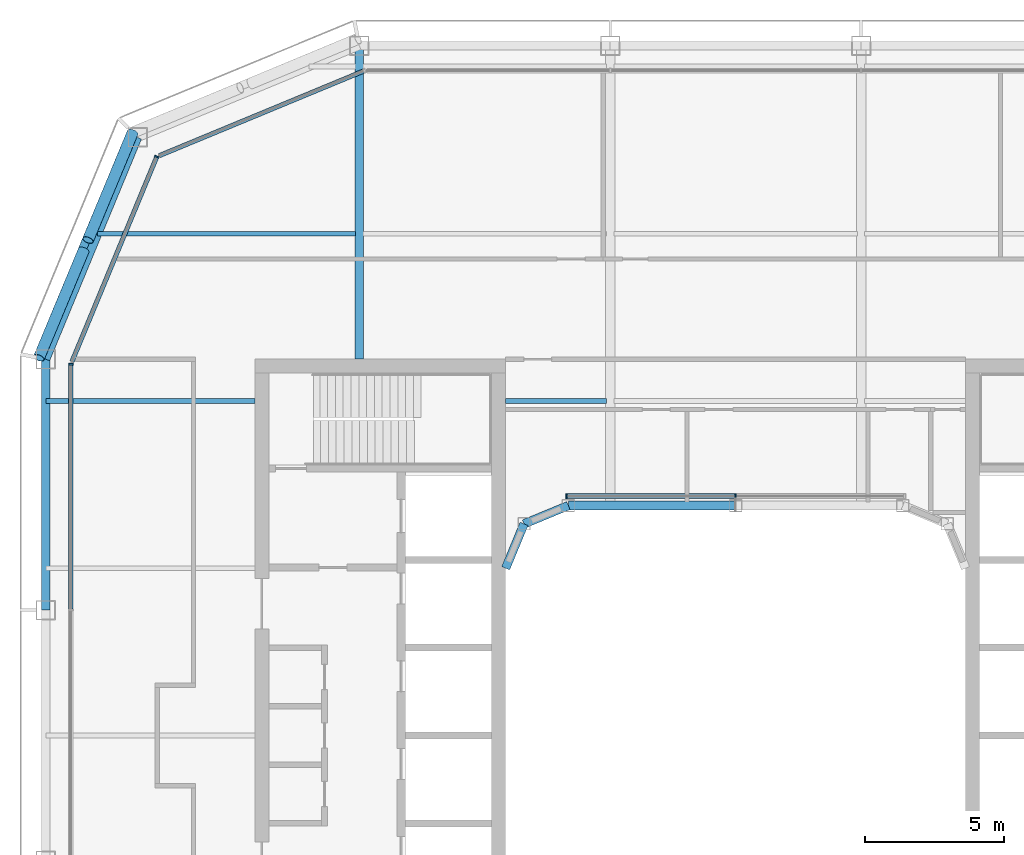
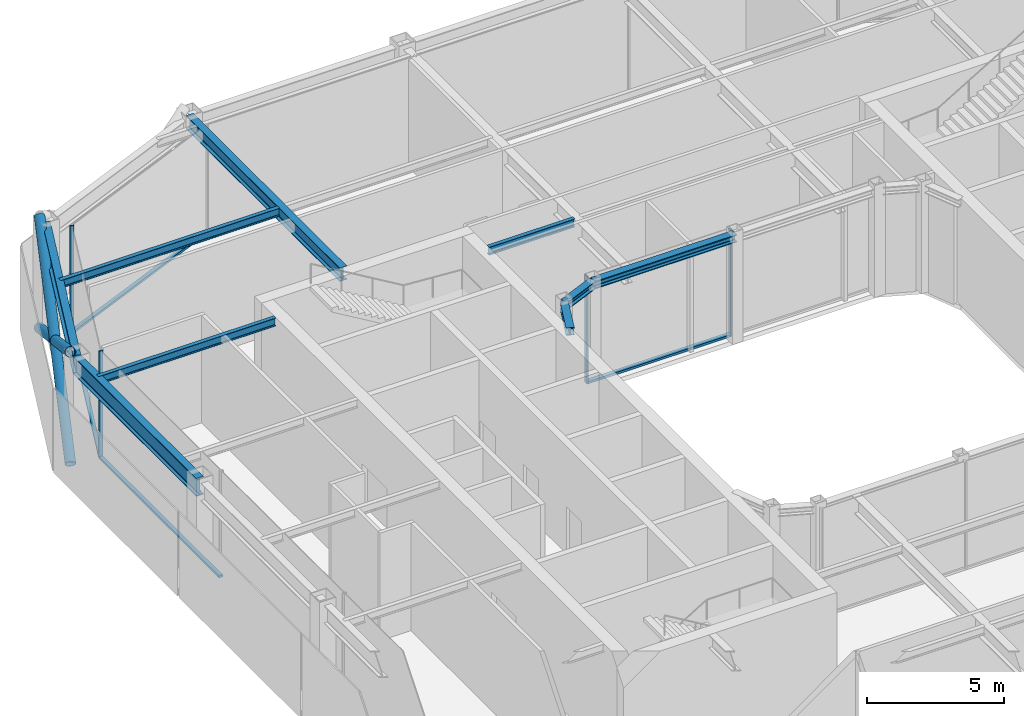
# One storey, part 7 of 17: 11 members, 9 beams, 4 elements without a shape of their own.
"""IFC4 building model written with IfcOpenShell, lengths in metres."""

from ifc_helpers import new_model, si_unit, direction, frame, origin, origin_2d, place, context, subcontext, project, spatial, rectangle, hollow_circle, i_section, extrude, material, layer, layer_set, material_profile, profile_set, type_object, element, aggregate, save


model = new_model("IFC4")

# Units and contexts
model_context = context("Model", 3, precision=1e-05, world=origin(), true_north=direction((0.0, 1.0)))
body_context = subcontext(model_context, "Body", "Model", "MODEL_VIEW")
ifc_project = project(units=[si_unit("LENGTHUNIT", "METRE"), si_unit("AREAUNIT", "SQUARE_METRE"), si_unit("VOLUMEUNIT", "CUBIC_METRE"), si_unit("PLANEANGLEUNIT", "RADIAN"), si_unit("MASSUNIT", "GRAM", prefix="KILO")], contexts=[model_context])

# Site, building, storey
site_placement = place(None, origin())
site = spatial("IfcSite", under=ifc_project, at=site_placement, CompositionType="ELEMENT")
building_placement = place(site_placement, origin())
building = spatial("IfcBuilding", under=site, at=building_placement, Name="Siwar Civic Tower", CompositionType="ELEMENT")
storey_placement = place(building_placement, frame((0.0, 0.0, 348.199951171875)))
storey = spatial("IfcBuildingStorey", under=building, at=storey_placement, Name="L75", CompositionType="ELEMENT", Elevation=348.199951171875)

# Curtain wall, member
ifc_material_1 = material(Name="Aluminium clad insulated panel", Category="aluminium")
ifc_layer_1 = layer(ifc_material_1, 0.159912109375)
ifc_layer_set_1 = layer_set([ifc_layer_1], Name="Aluminium clad insulated panel")
curtain_wall_type_1 = type_object("IfcCurtainWallType", Name="ENV-CW-DX", PredefinedType="NOTDEFINED", material=ifc_layer_set_1)
curtain_wall_1_placement = place(storey_placement, origin())
curtain_wall_1 = element("IfcCurtainWall", 1, at=curtain_wall_1_placement, inside=storey, type_object=curtain_wall_type_1, Name="Curtain wall D NW2", PredefinedType="NOTDEFINED")
ifc_material_2 = material(Name="Aluminium 6063-T6", Category="aluminium")
ifc_material_profile_1 = material_profile(ifc_material_2, rectangle(XDim=0.159912109375, YDim=0.06005859375, at=origin_2d()), Name="AL 160x60")
ifc_profile_set_1 = profile_set([ifc_material_profile_1], Name="Aluminium 6063-T6")
member_type_1 = type_object("IfcMemberType", Name="ENV-MULLION-D", PredefinedType="MULLION", material=ifc_profile_set_1)
member_1_placement = place(storey_placement, frame((-20.76611328125, 20.76611328125, 0.0), z_axis=(0.0, 0.0, 1.0), x_axis=(0.923879532511, -0.382683432365, 0.0)))
member_1 = element("IfcMember", 2, at=member_1_placement, type_object=member_type_1, Name="Mullion D NW2 1", PredefinedType="MULLION", context=body_context, shape_type="SweptSolid", body=[
    extrude(rectangle(XDim=0.159912109375, YDim=0.06005859375, at=origin_2d()), origin(), (0.0, 0.0, 1.0), 4.800048828125),
])

ifc_material_3 = material(Name="Aluminium and glass", Category="aluminium")
ifc_layer_2 = layer(ifc_material_3, 0.159912109375)
ifc_layer_set_2 = layer_set([ifc_layer_2], Name="Aluminium and glass")
curtain_wall_type_2 = type_object("IfcCurtainWallType", Name="ENV-CW-D", PredefinedType="NOTDEFINED", material=ifc_layer_set_2)
curtain_wall_2_placement = place(storey_placement, origin())
curtain_wall_2 = element("IfcCurtainWall", 3, at=curtain_wall_2_placement, inside=storey, type_object=curtain_wall_type_2, Name="Curtain wall D W", PredefinedType="NOTDEFINED")
member_2_placement = place(storey_placement, frame((-23.85009765625, 13.321044921875, 0.0), z_axis=(0.0, 0.0, 1.0), x_axis=(1.0, 0.0, 0.0)))
member_2 = element("IfcMember", 4, at=member_2_placement, type_object=member_type_1, Name="Mullion D W 1", PredefinedType="MULLION", context=body_context, shape_type="SweptSolid", body=[
    extrude(rectangle(XDim=0.159912109375, YDim=0.06005859375, at=origin_2d()), origin(), (0.0, 0.0, 1.0), 4.800048828125),
])

# Curtain wall, members
ifc_material_4 = material(Name="Aluminium and glass", Category="aluminium")
ifc_layer_3 = layer(ifc_material_4, 0.179931640625)
ifc_layer_set_3 = layer_set([ifc_layer_3], Name="Aluminium and glass")
curtain_wall_type_3 = type_object("IfcCurtainWallType", Name="ENV-CW-W", PredefinedType="NOTDEFINED", material=ifc_layer_set_3)
curtain_wall_3_placement = place(storey_placement, origin())
curtain_wall_3 = element("IfcCurtainWall", 5, at=curtain_wall_3_placement, inside=storey, type_object=curtain_wall_type_3, Name="Curtain wall W WN", PredefinedType="NOTDEFINED")
ifc_material_5 = material(Name="Aluminium 6063-T6", Category="aluminium")
ifc_material_profile_2 = material_profile(ifc_material_5, rectangle(XDim=0.179931640625, YDim=0.06005859375, at=origin_2d()), Name="AL 180x60")
ifc_profile_set_2 = profile_set([ifc_material_profile_2], Name="Aluminium 6063-T6")
member_type_2 = type_object("IfcMemberType", Name="ENV-MULLION-W", PredefinedType="MULLION", material=ifc_profile_set_2)
member_3_placement = place(storey_placement, frame((0.0, 8.5849609375, 0.0), z_axis=(0.0, 0.0, 1.0), x_axis=(0.0, -1.0, 0.0)))
member_3 = element("IfcMember", 6, at=member_3_placement, type_object=member_type_2, Name="Mullion W WN 2", PredefinedType="MULLION", context=body_context, shape_type="SweptSolid", body=[
    extrude(rectangle(XDim=0.179931640625, YDim=0.06005859375, at=origin_2d()), origin(), (0.0, 0.0, 1.0), 4.800048828125),
])
member_4_placement = place(storey_placement, frame((-6.066650390625, 8.5849609375, 0.0), z_axis=(0.0, 0.0, 1.0), x_axis=(0.0, -1.0, 0.0)))
member_4 = element("IfcMember", 7, at=member_4_placement, type_object=member_type_2, Name="Mullion W WN 3", PredefinedType="MULLION", context=body_context, shape_type="SweptSolid", body=[
    extrude(rectangle(XDim=0.179931640625, YDim=0.06005859375, at=origin_2d()), origin(), (0.0, 0.0, 1.0), 4.800048828125),
])

# Curtain wall, member
curtain_wall_4_placement = place(storey_placement, origin())
curtain_wall_4 = element("IfcCurtainWall", 8, at=curtain_wall_4_placement, inside=storey, type_object=curtain_wall_type_1, Name="Curtain wall D NW1", PredefinedType="NOTDEFINED")
ifc_material_6 = material(Name="Aluminium 6063-T6", Category="aluminium")
ifc_material_profile_3 = material_profile(ifc_material_6, rectangle(XDim=0.159912109375, YDim=0.10009765625, at=origin_2d()), Name="AL 160x100")
ifc_profile_set_3 = profile_set([ifc_material_profile_3], Name="Aluminium 6063-T6")
member_type_3 = type_object("IfcMemberType", Name="ENV-TRANSOM-D", PredefinedType="USERDEFINED", material=ifc_profile_set_3)
member_5_placement = place(storey_placement, frame((-13.3486328125, 23.838623046875, 0.050048828125), z_axis=(-0.923872756612, -0.382699790424, 0.0), x_axis=(0.382699790424, -0.923872756612, 0.0)))
member_5 = element("IfcMember", 9, at=member_5_placement, type_object=member_type_3, Name="Transom D NW1 1", ObjectType="TRANSOM", PredefinedType="USERDEFINED", context=body_context, shape_type="SweptSolid", body=[
    extrude(rectangle(XDim=0.159912109375, YDim=0.10009765625, at=origin_2d()), origin(), (0.0, 0.0, 1.0), 7.930908203125),
])
aggregate(curtain_wall_4, [member_5])

# Member
member_6_placement = place(storey_placement, frame((-20.777587890625, 20.738525390625, 0.050048828125), z_axis=(-0.382673515031, -0.923883640343, 0.0), x_axis=(0.923883640343, -0.382673515031, 0.0)))
member_6 = element("IfcMember", 10, at=member_6_placement, type_object=member_type_3, Name="Transom D NW2 1", ObjectType="TRANSOM", PredefinedType="USERDEFINED", context=body_context, shape_type="SweptSolid", body=[
    extrude(rectangle(XDim=0.159912109375, YDim=0.10009765625, at=origin_2d()), origin(), (0.0, 0.0, 1.0), 7.930908203125),
])

aggregate(curtain_wall_1, [member_1, member_6])

member_7_placement = place(storey_placement, frame((-23.85009765625, 13.291015625, 0.050048828125), z_axis=(0.0, -1.0, 0.0), x_axis=(1.0, 0.0, 0.0)))
member_7 = element("IfcMember", 11, at=member_7_placement, type_object=member_type_3, Name="Transom D W 1", ObjectType="TRANSOM", PredefinedType="USERDEFINED", context=body_context, shape_type="SweptSolid", body=[
    extrude(rectangle(XDim=0.159912109375, YDim=0.10009765625, at=origin_2d()), origin(), (0.0, 0.0, 1.0), 8.760986328125),
])

aggregate(curtain_wall_2, [member_2, member_7])

ifc_material_7 = material(Name="Aluminium 6063-T6", Category="aluminium")
ifc_material_profile_4 = material_profile(ifc_material_7, rectangle(XDim=0.179931640625, YDim=0.10009765625, at=origin_2d()), Name="AL 180x100")
ifc_profile_set_4 = profile_set([ifc_material_profile_4], Name="Aluminium 6063-T6")
member_type_4 = type_object("IfcMemberType", Name="ENV-TRANSOM-W", PredefinedType="USERDEFINED", material=ifc_profile_set_4)
member_8_placement = place(storey_placement, frame((-0.030029296875, 8.5849609375, 0.050048828125), z_axis=(-1.0, 0.0, 0.0), x_axis=(0.0, -1.0, 0.0)))
member_8 = element("IfcMember", 12, at=member_8_placement, type_object=member_type_4, Name="Transom W WN 2", ObjectType="TRANSOM", PredefinedType="USERDEFINED", context=body_context, shape_type="SweptSolid", body=[
    extrude(rectangle(XDim=0.179931640625, YDim=0.10009765625, at=origin_2d()), origin(), (0.0, 0.0, 1.0), 6.006591796875),
])

aggregate(curtain_wall_3, [member_3, member_4, member_8])

# Members
ifc_material_8 = material(Name="Steel S355", Category="steel")
ifc_material_profile_5 = material_profile(ifc_material_8, hollow_circle(Radius=0.203125, WallThickness=0.01611328125, at=origin_2d()), Name="CHS406.4x16")
ifc_profile_set_5 = profile_set([ifc_material_profile_5], Name="Steel S355")
member_type_5 = type_object("IfcMemberType", Name="STR-BR-CHS406.4x16", PredefinedType="BRACE", material=ifc_profile_set_5)
member_9_placement = place(storey_placement, frame((-24.9951171875, 13.548828125, 0.0), z_axis=(0.333592743807, 0.801726811989, 0.495933463499), x_axis=(-0.923264922524, 0.384163874976, 0.0)))
element("IfcMember", 13, at=member_9_placement, inside=storey, type_object=member_type_5, Name="L75/brc/DNW1-14-0-1", PredefinedType="BRACE", context=body_context, shape_type="SweptSolid", body=[
    extrude(hollow_circle(Radius=0.203125, WallThickness=0.01611328125, at=origin_2d()), origin(), (0.0, 0.0, 1.0), 10.08203125),
])
for number, where, z_axis, x_axis, name in (
    (14, (-21.6318359375, 21.6318359375, 0.0), (-0.333566570839, -0.801737302644, 0.495934108897), (0.923277395422, -0.384133897361, 0.0), "L75/brc/DNW1-14-0-2"),
    (15, (-23.390380859375, 17.405029296875, 2.614501953125), (-0.333625253508, -0.80170559549, 0.495945892595), (0.923248036946, -0.384204453742, 0.0), "L75/brc/DNW1-14-0-3"),
):
    element("IfcMember", number, at=place(storey_placement, frame(where, z_axis=z_axis, x_axis=x_axis)), inside=storey, type_object=member_type_5, Name=name, PredefinedType="BRACE", context=body_context, shape_type="SweptSolid", body=[
        extrude(hollow_circle(Radius=0.203125, WallThickness=0.01611328125, at=origin_2d()), origin(), (0.0, 0.0, 1.0), 4.81005859375),
    ])

# Beams
ifc_material_9 = material(Name="Steel S355", Category="steel")
ifc_material_profile_6 = material_profile(ifc_material_9, i_section(OverallWidth=0.169921875, OverallDepth=0.360107421875, WebThickness=0.008056640625, FlangeThickness=0.0126953125, FilletRadius=0.01806640625, at=origin_2d()), Name="IPE360")
ifc_profile_set_6 = profile_set([ifc_material_profile_6], Name="Steel S355")
beam_type_1 = type_object("IfcBeamType", Name="STR-FB-IPE360", PredefinedType="JOIST", material=ifc_profile_set_6)
beam_1_placement = place(storey_placement, frame((-24.75, 12.0, 4.6201171875), z_axis=(1.0, 0.0, 0.0), x_axis=(0.0, 1.0, 0.0)))
element("IfcBeam", 16, at=beam_1_placement, inside=storey, type_object=beam_type_1, Name="L75/bm/F022", PredefinedType="JOIST", context=body_context, shape_type="SweptSolid", body=[
    extrude(i_section(OverallWidth=0.169921875, OverallDepth=0.360107421875, WebThickness=0.008056640625, FlangeThickness=0.0126953125, FilletRadius=0.01806640625, at=origin_2d()), origin(), (0.0, 0.0, 1.0), 7.5),
])
beam_2_placement = place(storey_placement, frame((-8.25, 12.0, 4.6201171875), z_axis=(1.0, 0.0, 0.0), x_axis=(0.0, 1.0, 0.0)))
element("IfcBeam", 17, at=beam_2_placement, inside=storey, type_object=beam_type_1, Name="L75/bm/F023", PredefinedType="JOIST", context=body_context, shape_type="SweptSolid", body=[
    extrude(i_section(OverallWidth=0.169921875, OverallDepth=0.360107421875, WebThickness=0.008056640625, FlangeThickness=0.0126953125, FilletRadius=0.01806640625, at=origin_2d()), origin(), (0.0, 0.0, 1.0), 3.6201171875),
])
beam_3_placement = place(storey_placement, frame((-22.885986328125, 18.0, 4.6201171875), z_axis=(1.0, 0.0, 0.0), x_axis=(0.0, 1.0, 0.0)))
element("IfcBeam", 18, at=beam_3_placement, inside=storey, type_object=beam_type_1, Name="L75/bm/F027", PredefinedType="JOIST", context=body_context, shape_type="SweptSolid", body=[
    extrude(i_section(OverallWidth=0.169921875, OverallDepth=0.360107421875, WebThickness=0.008056640625, FlangeThickness=0.0126953125, FilletRadius=0.01806640625, at=origin_2d()), origin(), (0.0, 0.0, 1.0), 9.256103515625),
])
ifc_material_10 = material(Name="Steel S355", Category="steel")
ifc_material_profile_7 = material_profile(ifc_material_10, i_section(OverallWidth=0.300048828125, OverallDepth=0.60009765625, WebThickness=0.015380859375, FlangeThickness=0.030029296875, FilletRadius=0.027099609375, at=origin_2d()), Name="HEB600")
ifc_profile_set_7 = profile_set([ifc_material_profile_7], Name="Steel S355")
beam_type_2 = type_object("IfcBeamType", Name="STR-PG-HEB600", PredefinedType="BEAM", material=ifc_profile_set_7)
beam_4_placement = place(storey_placement, frame((-13.5, 13.5, 4.5), z_axis=(0.0, 1.0, 0.0), x_axis=(-1.0, 0.0, 0.0)))
element("IfcBeam", 19, at=beam_4_placement, inside=storey, type_object=beam_type_2, Name="L75/bm/G02", PredefinedType="BEAM", context=body_context, shape_type="SweptSolid", body=[
    extrude(i_section(OverallWidth=0.300048828125, OverallDepth=0.60009765625, WebThickness=0.015380859375, FlangeThickness=0.030029296875, FilletRadius=0.027099609375, at=origin_2d()), origin(), (0.0, 0.0, 1.0), 11.25),
])
ifc_material_11 = material(Name="Steel S355", Category="steel")
ifc_material_profile_8 = material_profile(ifc_material_11, i_section(OverallWidth=0.31005859375, OverallDepth=0.340087890625, WebThickness=0.02099609375, FlangeThickness=0.0390625, FilletRadius=0.027099609375, at=origin_2d()), Name="HEM300")
ifc_profile_set_8 = profile_set([ifc_material_profile_8], Name="Steel S355")
beam_type_3 = type_object("IfcBeamType", Name="STR-RB-HEM300", PredefinedType="BEAM", material=ifc_profile_set_8)
beam_5_placement = place(storey_placement, frame((-7.591064453125, 7.591064453125, 4.630126953125), z_axis=(0.923901072997, 0.382631424892, 0.0), x_axis=(-0.382631424892, 0.923901072997, 0.0)))
element("IfcBeam", 20, at=beam_5_placement, inside=storey, type_object=beam_type_3, Name="L75/bm/RN0", PredefinedType="BEAM", context=body_context, shape_type="SweptSolid", body=[
    extrude(i_section(OverallWidth=0.31005859375, OverallDepth=0.340087890625, WebThickness=0.02099609375, FlangeThickness=0.0390625, FilletRadius=0.027099609375, at=origin_2d()), origin(), (0.0, 0.0, 1.0), 1.72216796875),
])
beam_6_placement = place(storey_placement, frame((-6.0, 8.25, 4.630126953125), z_axis=(1.0, 0.0, 0.0), x_axis=(0.0, 1.0, 0.0)))
element("IfcBeam", 21, at=beam_6_placement, inside=storey, type_object=beam_type_3, Name="L75/bm/RN1", PredefinedType="BEAM", context=body_context, shape_type="SweptSolid", body=[
    extrude(i_section(OverallWidth=0.31005859375, OverallDepth=0.340087890625, WebThickness=0.02099609375, FlangeThickness=0.0390625, FilletRadius=0.027099609375, at=origin_2d()), origin(), (0.0, 0.0, 1.0), 6.0),
])
beam_7_placement = place(storey_placement, frame((-7.591064453125, 7.591064453125, 4.630126953125), z_axis=(-0.382631424892, -0.923901072997, 0.0), x_axis=(0.923901072997, -0.382631424892, 0.0)))
element("IfcBeam", 22, at=beam_7_placement, inside=storey, type_object=beam_type_3, Name="L75/bm/RNEW", PredefinedType="BEAM", context=body_context, shape_type="SweptSolid", body=[
    extrude(i_section(OverallWidth=0.31005859375, OverallDepth=0.340087890625, WebThickness=0.02099609375, FlangeThickness=0.0390625, FilletRadius=0.027099609375, at=origin_2d()), origin(), (0.0, 0.0, 1.0), 1.72216796875),
])
ifc_material_12 = material(Name="Steel S355", Category="steel")
ifc_material_profile_9 = material_profile(ifc_material_12, i_section(OverallWidth=0.300048828125, OverallDepth=0.800048828125, WebThickness=0.017578125, FlangeThickness=0.032958984375, FilletRadius=0.030029296875, at=origin_2d()), Name="HEB800")
ifc_profile_set_9 = profile_set([ifc_material_profile_9], Name="Steel S355")
beam_type_4 = type_object("IfcBeamType", Name="STR-SB-HEB800", PredefinedType="BEAM", material=ifc_profile_set_9)
beam_8_placement = place(storey_placement, frame((-21.454833984375, 21.454833984375, 4.400146484375), z_axis=(-0.382699877515, -0.923872720536, 0.0), x_axis=(0.923872720536, -0.382699877515, 0.0)))
element("IfcBeam", 23, at=beam_8_placement, inside=storey, type_object=beam_type_4, Name="L75/bm/SNW2-0", PredefinedType="BEAM", context=body_context, shape_type="SweptSolid", body=[
    extrude(i_section(OverallWidth=0.300048828125, OverallDepth=0.800048828125, WebThickness=0.017578125, FlangeThickness=0.032958984375, FilletRadius=0.030029296875, at=origin_2d()), origin(), (0.0, 0.0, 1.0), 8.6103515625),
])
beam_9_placement = place(storey_placement, frame((-24.75, 13.5, 4.400146484375), z_axis=(0.0, -1.0, 0.0), x_axis=(1.0, 0.0, 0.0)))
element("IfcBeam", 24, at=beam_9_placement, inside=storey, type_object=beam_type_4, Name="L75/bm/SW-0", PredefinedType="BEAM", context=body_context, shape_type="SweptSolid", body=[
    extrude(i_section(OverallWidth=0.300048828125, OverallDepth=0.800048828125, WebThickness=0.017578125, FlangeThickness=0.032958984375, FilletRadius=0.030029296875, at=origin_2d()), origin(), (0.0, 0.0, 1.0), 9.0),
])

save(model, "model.ifc")
